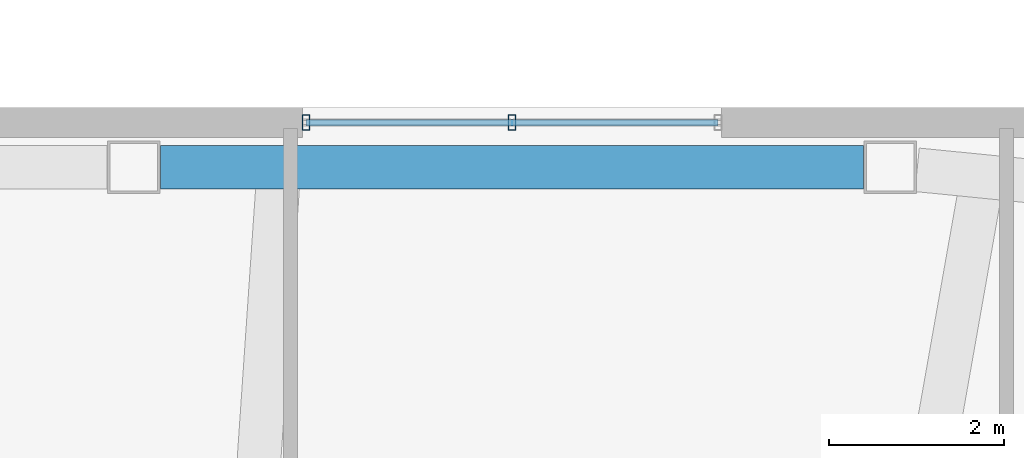
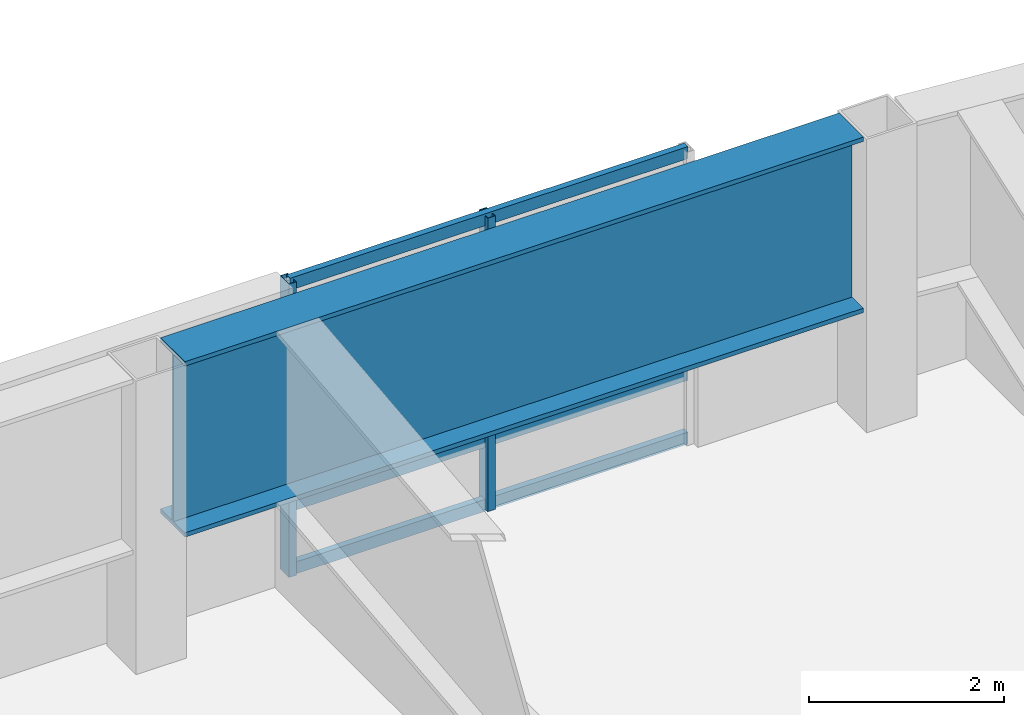
# One storey, part 8 of 19: 5 members, 1 beam, 1 element without a shape of its own.
"""IFC4 building model written with IfcOpenShell, lengths in metres."""

from ifc_helpers import new_model, si_unit, direction, frame, origin, origin_2d, place, context, subcontext, project, spatial, hollow_rectangle, i_section, extrude, material, layer, layer_set, material_profile, profile_set, type_object, element, aggregate, save


model = new_model("IFC4")

# Units and contexts
model_context = context("Model", 3, precision=1e-05, world=origin(), true_north=direction((0.0, 1.0)))
body_context = subcontext(model_context, "Body", "Model", "MODEL_VIEW")
ifc_project = project(units=[si_unit("LENGTHUNIT", "METRE"), si_unit("AREAUNIT", "SQUARE_METRE"), si_unit("VOLUMEUNIT", "CUBIC_METRE"), si_unit("PLANEANGLEUNIT", "RADIAN"), si_unit("MASSUNIT", "GRAM", prefix="KILO")], contexts=[model_context])

# Site, building, storey
site_placement = place(None, origin())
site = spatial("IfcSite", under=ifc_project, at=site_placement, CompositionType="ELEMENT")
building_placement = place(site_placement, origin())
building = spatial("IfcBuilding", under=site, at=building_placement, Name="Tavrogorsk Clinical Tower", CompositionType="ELEMENT")
storey_placement = place(building_placement, frame((0.0, 0.0, 204.199951171875)))
storey = spatial("IfcBuildingStorey", under=building, at=storey_placement, Name="L47", CompositionType="ELEMENT", Elevation=204.199951171875)

# Curtain wall, members
ifc_material_1 = material(Name="Anodised aluminium and triple IGU glazing", Category="aluminium")
ifc_layer = layer(ifc_material_1, 0.179931640625)
ifc_layer_set = layer_set([ifc_layer], Name="Anodised aluminium and triple IGU glazing")
curtain_wall_type = type_object("IfcCurtainWallType", Name="CW2_NorthSlot", PredefinedType="NOTDEFINED", material=ifc_layer_set)
curtain_wall_placement = place(storey_placement, origin())
curtain_wall = element("IfcCurtainWall", 1, at=curtain_wall_placement, inside=storey, type_object=curtain_wall_type, Name="L47 Curtain Wall CW-L47-N-SLOT-1", PredefinedType="NOTDEFINED")
ifc_material_2 = material(Name="Anodised aluminium alloy AW-6060", Category="aluminium")
ifc_material_profile_1 = material_profile(ifc_material_2, hollow_rectangle(XDim=0.090087890625, YDim=0.179931640625, WallThickness=0.00634765625, at=origin_2d()), Name="RHS-180x90x6.3")
ifc_profile_set_1 = profile_set([ifc_material_profile_1], Name="Anodised aluminium alloy AW-6060")
member_type_1 = type_object("IfcMemberType", Name="CwMullion_180x90", PredefinedType="MULLION", material=ifc_profile_set_1)
member_1_placement = place(storey_placement, frame((-6.262939453125, 26.929931640625, 0.0), z_axis=(0.0, 0.0, 1.0), x_axis=(-1.0, 0.0, 0.0)))
member_1 = element("IfcMember", 2, at=member_1_placement, type_object=member_type_1, Name="CW-L47-N-SLOT-1 Mullion 2", PredefinedType="MULLION", context=body_context, shape_type="SweptSolid", body=[
    extrude(hollow_rectangle(XDim=0.090087890625, YDim=0.179931640625, WallThickness=0.00634765625, at=origin_2d()), origin(), (0.0, 0.0, 1.0), 3.679931640625),
])
member_2_placement = place(storey_placement, frame((-8.621826171875, 26.929931640625, 0.0), z_axis=(0.0, 0.0, 1.0), x_axis=(-1.0, 0.0, 0.0)))
member_2 = element("IfcMember", 3, at=member_2_placement, type_object=member_type_1, Name="CW-L47-N-SLOT-1 Mullion 3", PredefinedType="MULLION", context=body_context, shape_type="SweptSolid", body=[
    extrude(hollow_rectangle(XDim=0.090087890625, YDim=0.179931640625, WallThickness=0.00634765625, at=origin_2d()), origin(), (0.0, 0.0, 1.0), 3.679931640625),
])
ifc_material_3 = material(Name="Anodised aluminium alloy AW-6060", Category="aluminium")
ifc_material_profile_2 = material_profile(ifc_material_3, hollow_rectangle(XDim=0.074951171875, YDim=0.14990234375, WallThickness=0.0048828125, at=origin_2d()), Name="RHS-150x75x5")
ifc_profile_set_2 = profile_set([ifc_material_profile_2], Name="Anodised aluminium alloy AW-6060")
member_type_2 = type_object("IfcMemberType", Name="CwTransom_150x75", PredefinedType="USERDEFINED", material=ifc_profile_set_2)
member_3_placement = place(storey_placement, frame((-3.90380859375, 26.929931640625, 0.050048828125), z_axis=(-1.0, 0.0, 0.0), x_axis=(0.0, -1.0, 0.0)))
member_3 = element("IfcMember", 4, at=member_3_placement, type_object=member_type_2, Name="CW-L47-N-SLOT-1 Transom 1", ObjectType="TRANSOM", PredefinedType="USERDEFINED", context=body_context, shape_type="SweptSolid", body=[
    extrude(hollow_rectangle(XDim=0.074951171875, YDim=0.14990234375, WallThickness=0.0048828125, at=origin_2d()), origin(), (0.0, 0.0, 1.0), 4.718017578125),
])
member_4_placement = place(storey_placement, frame((-3.90380859375, 26.929931640625, 0.85009765625), z_axis=(-1.0, 0.0, 0.0), x_axis=(0.0, -1.0, 0.0)))
member_4 = element("IfcMember", 5, at=member_4_placement, type_object=member_type_2, Name="CW-L47-N-SLOT-1 Transom 2", ObjectType="TRANSOM", PredefinedType="USERDEFINED", context=body_context, shape_type="SweptSolid", body=[
    extrude(hollow_rectangle(XDim=0.074951171875, YDim=0.14990234375, WallThickness=0.0048828125, at=origin_2d()), origin(), (0.0, 0.0, 1.0), 4.718017578125),
])
member_5_placement = place(storey_placement, frame((-3.90380859375, 26.929931640625, 3.630126953125), z_axis=(-1.0, 0.0, 0.0), x_axis=(0.0, -1.0, 0.0)))
member_5 = element("IfcMember", 6, at=member_5_placement, type_object=member_type_2, Name="CW-L47-N-SLOT-1 Transom 3", ObjectType="TRANSOM", PredefinedType="USERDEFINED", context=body_context, shape_type="SweptSolid", body=[
    extrude(hollow_rectangle(XDim=0.074951171875, YDim=0.14990234375, WallThickness=0.0048828125, at=origin_2d()), origin(), (0.0, 0.0, 1.0), 4.718017578125),
])
aggregate(curtain_wall, [member_1, member_2, member_3, member_4, member_5])

# Beam
ifc_material_4 = material(Name="Structural steel S440", Category="steel")
ifc_material_profile_3 = material_profile(ifc_material_4, i_section(OverallWidth=0.5, OverallDepth=2.199951171875, WebThickness=0.035888671875, FlangeThickness=0.054931640625, at=origin_2d()), Name="DK-2200x500x36x55")
ifc_profile_set_3 = profile_set([ifc_material_profile_3], Name="Structural steel S440")
beam_type = type_object("IfcBeamType", Name="TransferGirder_DK2200", PredefinedType="USERDEFINED", material=ifc_profile_set_3)
beam_placement = place(storey_placement, frame((-2.239501953125, 26.419921875, 2.580078125), z_axis=(-1.0, 0.0, 0.0), x_axis=(0.0, -1.0, 0.0)))
element("IfcBeam", 7, at=beam_placement, inside=storey, type_object=beam_type, Name="L47 Perimeter Spandrel N5-N6", ObjectType="GIRDER", PredefinedType="USERDEFINED", context=body_context, shape_type="SweptSolid", body=[
    extrude(i_section(OverallWidth=0.5, OverallDepth=2.199951171875, WebThickness=0.035888671875, FlangeThickness=0.054931640625, at=origin_2d()), origin(), (0.0, 0.0, 1.0), 8.046875),
])

save(model, "model.ifc")
